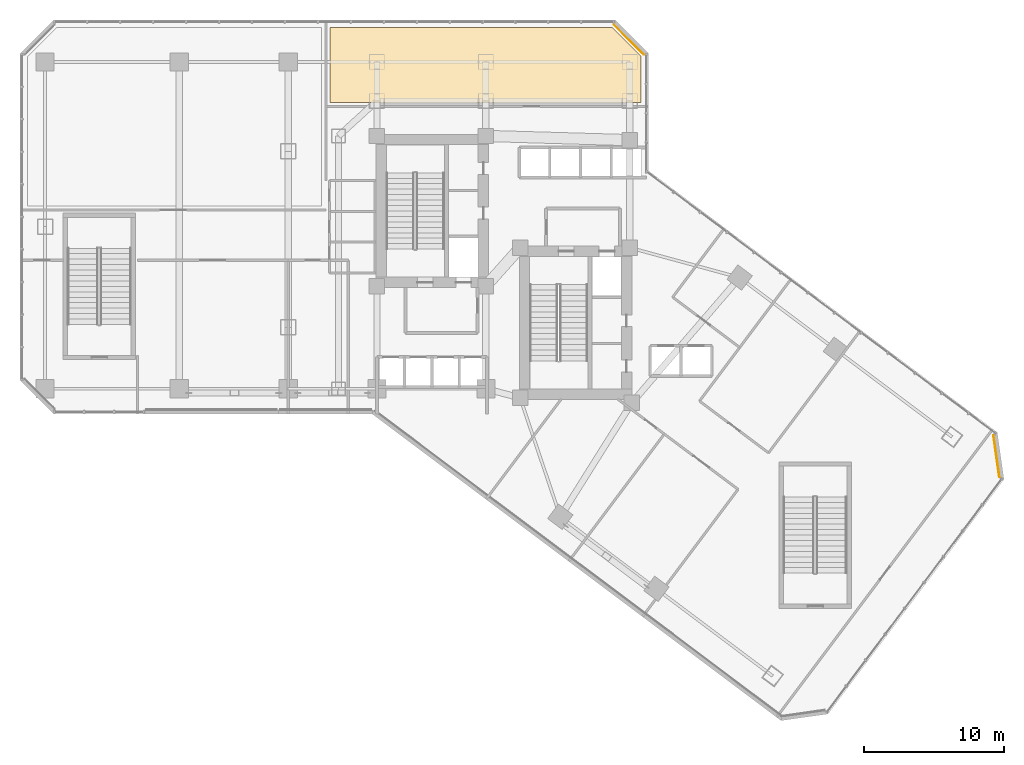
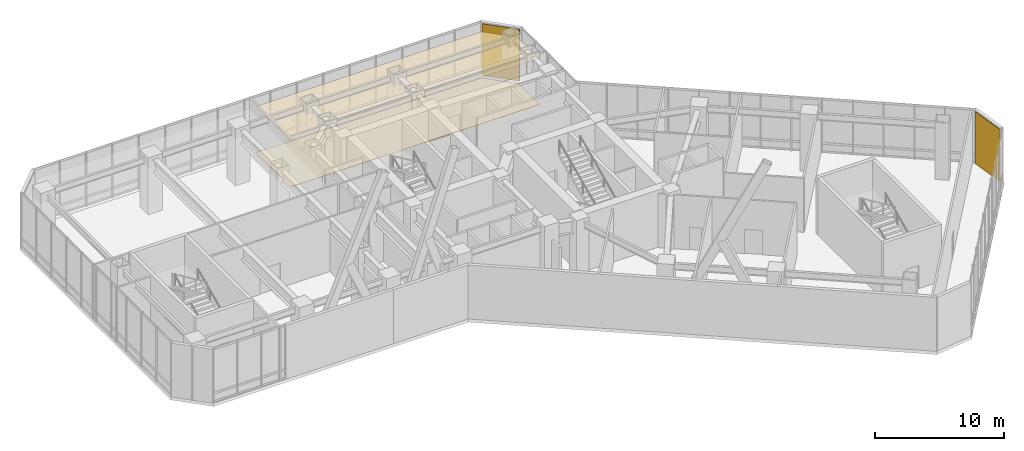
# One storey, part 35 of 35: 4 coverings.
"""IFC4 building model written with IfcOpenShell, lengths in metres."""

import ifcopenshell
import ifcopenshell.guid

model = None  # the IFC model being written
_history = None  # IfcOwnerHistory: only IFC2X3 demands one
_inside = {}  # id of a spatial element -> (the spatial element, [elements in it])
_under = {}  # id of a project, library or spatial element -> (it, [spatial elements below it])
_declared = {}  # id of a project -> (the project, [libraries it declares])
_typed = {}  # id of a type object -> (the type object, [elements of that type])
_made_of = {}  # id of a material, layer set ... -> (it, [elements and type objects made of it])


def new_model(schema):
    """Start an empty IFC model of exactly this schema.

    Asked for "IFC4X3", IfcOpenShell would pick the latest addendum, in which some entities
    have other attributes; the version numbers below select the first issue.
    IFC2X3 requires an IfcOwnerHistory on every rooted entity: one is made here for all.
    """
    global model, _history
    if schema == "IFC4X3":
        model = ifcopenshell.file(schema_version=(4, 3, 0, 0))
    else:
        model = ifcopenshell.file(schema=schema)
    _inside.clear()
    _under.clear()
    _declared.clear()
    _typed.clear()
    _made_of.clear()
    _history = None
    if model.schema == "IFC2X3":
        org = make("IfcOrganization", Name="unknown")
        user = make(
            "IfcPersonAndOrganization",
            ThePerson=make("IfcPerson", FamilyName="unknown"),
            TheOrganization=org,
        )
        app = make(
            "IfcApplication",
            ApplicationDeveloper=org,
            Version="unknown",
            ApplicationFullName="unknown",
            ApplicationIdentifier="unknown",
        )
        _history = make(
            "IfcOwnerHistory",
            OwningUser=user,
            OwningApplication=app,
            ChangeAction="ADDED",
            CreationDate=0,
        )
    return model


def make(cls, **values):
    """One entity of the class cls with the attributes given. An attribute that is None is left unset."""
    return model.create_entity(
        cls, **{name: value for name, value in values.items() if value is not None}
    )


def rooted(cls, **values):
    """An entity with a GlobalId (a new one), such as an element, a storey or a relation."""
    return make(cls, GlobalId=ifcopenshell.guid.new(), OwnerHistory=_history, **values)


def si_unit(unit_type, name, prefix=None):
    """IfcSIUnit, for example si_unit("LENGTHUNIT", "METRE", prefix="MILLI")."""
    return make("IfcSIUnit", UnitType=unit_type, Prefix=prefix, Name=name)


def assignment(units):
    """IfcUnitAssignment: the units of a project."""
    return None if units is None else make("IfcUnitAssignment", Units=units)


def point(xyz):
    """IfcCartesianPoint."""
    return None if xyz is None else make("IfcCartesianPoint", Coordinates=xyz)


def direction(xyz):
    """IfcDirection."""
    return None if xyz is None else make("IfcDirection", DirectionRatios=xyz)


def frame(location, z_axis=None, x_axis=None):
    """IfcAxis2Placement3D, a coordinate frame: its origin and axes. An axis left out is left unset."""
    return make(
        "IfcAxis2Placement3D",
        Location=point(location),
        Axis=direction(z_axis),
        RefDirection=direction(x_axis),
    )


def frame_2d(location, x_axis=None):
    """IfcAxis2Placement2D, a coordinate frame in the plane: its origin and x axis."""
    return make(
        "IfcAxis2Placement2D", Location=point(location), RefDirection=direction(x_axis)
    )


def origin():
    """The frame at (0, 0, 0) with its axes left unset."""
    return frame((0.0, 0.0, 0.0))


def origin_2d():
    """The frame at (0, 0) in the plane with its x axis left unset."""
    return frame_2d((0.0, 0.0))


def place(relative_to, where):
    """IfcLocalPlacement: puts the frame where relative to a parent placement (None: the world)."""
    return make(
        "IfcLocalPlacement", PlacementRelTo=relative_to, RelativePlacement=where
    )


def context(
    kind, dimensions, precision=None, world=None, true_north=None, identifier=None
):
    """IfcGeometricRepresentationContext, for example the 3D "Model" context."""
    return make(
        "IfcGeometricRepresentationContext",
        ContextIdentifier=identifier,
        ContextType=kind,
        CoordinateSpaceDimension=dimensions,
        Precision=precision,
        WorldCoordinateSystem=world,
        TrueNorth=true_north,
    )


def subcontext(parent, identifier, kind, view, scale=None):
    """IfcGeometricRepresentationSubContext, for example "Body" below "Model"."""
    return make(
        "IfcGeometricRepresentationSubContext",
        ContextIdentifier=identifier,
        ContextType=kind,
        ParentContext=parent,
        TargetScale=scale,
        TargetView=view,
    )


def project(units=None, contexts=None):
    """IfcProject with its units and contexts."""
    return rooted(
        "IfcProject",
        Name="project",
        RepresentationContexts=contexts,
        UnitsInContext=assignment(units),
    )


def spatial(cls, under=None, at=None, **own):
    """A site, building, storey or space (cls), placed at a placement, below another one or the project."""
    s = rooted(cls, ObjectPlacement=at, **own)
    if under is not None:
        _under.setdefault(under.id(), (under, []))[1].append(s)
    return s


def polyline(points):
    """IfcPolyline through the points."""
    return make("IfcPolyline", Points=[point(p) for p in points])


def profile(cls, at=None, kind="AREA", **sizes):
    """A parametric profile (cls). Its sizes go by their IFC names, for example OverallWidth=200.0."""
    return make(cls, ProfileType=kind, Position=at, **sizes)


def rectangle(**sizes):
    """IfcRectangleProfileDef."""
    return profile("IfcRectangleProfileDef", **sizes)


def outline(outer, holes=None, kind="AREA"):
    """IfcArbitraryClosedProfileDef: a profile drawn as a closed curve; with holes, ...WithVoids."""
    if holes is None:
        return make("IfcArbitraryClosedProfileDef", ProfileType=kind, OuterCurve=outer)
    return make(
        "IfcArbitraryProfileDefWithVoids",
        ProfileType=kind,
        OuterCurve=outer,
        InnerCurves=holes,
    )


def extrude(swept, where, along, depth):
    """IfcExtrudedAreaSolid: the profile swept, set in the frame where, extruded along a direction by depth."""
    return make(
        "IfcExtrudedAreaSolid",
        SweptArea=swept,
        Position=where,
        ExtrudedDirection=direction(along),
        Depth=depth,
    )


def shape(context_of_items, identifier, shape_type, items):
    """IfcShapeRepresentation: the items that make up one representation, for example the "Body"."""
    return make(
        "IfcShapeRepresentation",
        ContextOfItems=context_of_items,
        RepresentationIdentifier=identifier,
        RepresentationType=shape_type,
        Items=items,
    )


def material(Name=None, Category=None):
    """IfcMaterial."""
    return make("IfcMaterial", Name=Name, Category=Category)


def layer(
    of_material, thickness, ventilated=None, Name=None, Category=None, Priority=None
):
    """IfcMaterialLayer: one layer of a wall or slab, of a material (None: an air gap)."""
    return make(
        "IfcMaterialLayer",
        Material=of_material,
        LayerThickness=thickness,
        IsVentilated=ventilated,
        Name=Name,
        Category=Category,
        Priority=Priority,
    )


def layer_set(layers, Name=None):
    """IfcMaterialLayerSet."""
    return make("IfcMaterialLayerSet", MaterialLayers=layers, LayerSetName=Name)


def made_of(thing, what):
    """Note that an element or type object is made of a material, layer set ...; save() writes the relation."""
    if what is not None:
        _made_of.setdefault(what.id(), (what, []))[1].append(thing)
    return thing


def type_object(cls, material=None, **own):
    """A type object (cls), such as IfcWallType, which elements share."""
    return made_of(rooted(cls, **own), material)


def element(
    cls,
    number,
    at=None,
    inside=None,
    cuts=None,
    type_object=None,
    material=None,
    context=None,
    identifier="Body",
    shape_type=None,
    held_by="IfcProductDefinitionShape",
    body=None,
    shapes=None,
    **own,
):
    """One element of the class cls, such as IfcWall. Its Tag is "e" and its number.

    at: its placement. inside: the storey or other place that contains it. cuts: it is an
    opening in that element (IfcRelVoidsElement). A single representation is given by context,
    identifier, shape_type and body (its items); several are given by shapes. held_by: the class
    of the entity that holds the representations. save() writes the other relations.
    """
    e = rooted(cls, Tag="e%d" % number, ObjectPlacement=at, **own)
    if body is not None:
        shapes = [shape(context, identifier, shape_type, body)]
    if shapes is not None:
        e.Representation = make(held_by, Representations=shapes)
    if inside is not None:
        _inside.setdefault(inside.id(), (inside, []))[1].append(e)
    if cuts is not None:
        rooted(
            "IfcRelVoidsElement", RelatingBuildingElement=cuts, RelatedOpeningElement=e
        )
    if type_object is not None:
        _typed.setdefault(type_object.id(), (type_object, []))[1].append(e)
    return made_of(e, material)


def aggregate(whole, parts):
    """IfcRelAggregates: a whole, such as a stair, and the parts it consists of."""
    return rooted("IfcRelAggregates", RelatingObject=whole, RelatedObjects=parts)


def save(model, path):
    """Write the relations noted so far, then the file.

    IfcRelAggregates (storeys below a building ...), IfcRelContainedInSpatialStructure (elements
    in a storey), IfcRelDefinesByType, IfcRelAssociatesMaterial and IfcRelDeclares: one each for
    every whole, place, type object, material and project.
    """
    for whole, parts in _under.values():
        aggregate(whole, parts)
    for where, things in _inside.values():
        rooted(
            "IfcRelContainedInSpatialStructure",
            RelatedElements=things,
            RelatingStructure=where,
        )
    for kind, things in _typed.values():
        rooted("IfcRelDefinesByType", RelatedObjects=things, RelatingType=kind)
    for what, things in _made_of.values():
        rooted("IfcRelAssociatesMaterial", RelatedObjects=things, RelatingMaterial=what)
    for by, libraries in _declared.values():
        rooted("IfcRelDeclares", RelatingContext=by, RelatedDefinitions=libraries)
    model.write(path)


model = new_model("IFC4")

# Units and contexts
model_context = context("Model", 3, precision=1e-05, world=origin(), true_north=direction((0.0, 1.0)))
body_context = subcontext(model_context, "Body", "Model", "MODEL_VIEW")
ifc_project = project(units=[si_unit("LENGTHUNIT", "METRE"), si_unit("AREAUNIT", "SQUARE_METRE"), si_unit("VOLUMEUNIT", "CUBIC_METRE"), si_unit("PLANEANGLEUNIT", "RADIAN"), si_unit("MASSUNIT", "GRAM", prefix="KILO")], contexts=[model_context])

# Site, building, storey
site_placement = place(None, origin())
site = spatial("IfcSite", under=ifc_project, at=site_placement, CompositionType="ELEMENT")
building_placement = place(site_placement, origin())
building = spatial("IfcBuilding", under=site, at=building_placement, Name="Hatsunagi Terrace Concourse", CompositionType="ELEMENT")
storey_placement = place(building_placement, frame((0.0, 0.0, 5.39990234375)))
storey = spatial("IfcBuildingStorey", under=building, at=storey_placement, Name="L02", CompositionType="ELEMENT", Elevation=5.39990234375)

# Coverings
ifc_material_1 = material(Name="Acoustic mineral board", Category="gypsum")
ifc_layer_1 = layer(ifc_material_1, 0.02001953125)
ifc_layer_set_1 = layer_set([ifc_layer_1], Name="AcousticMineralCeiling_20")
covering_type_1 = type_object("IfcCoveringType", Name="AcousticMineralCeiling_20", PredefinedType="CEILING", material=ifc_layer_set_1)
covering_1_placement = place(storey_placement, frame((0.0, 0.0, 4.380126953125)))
element("IfcCovering", 1, at=covering_1_placement, inside=storey, type_object=covering_type_1, Name="Suspended Ceiling L02-2", PredefinedType="CEILING", context=body_context, shape_type="SweptSolid", body=[
    extrude(outline(polyline([(44.469970703125, 48.97998046875), (42.3798828125, 51.070068359375), (22.199951171875, 51.070068359375), (22.199951171875, 45.699951171875), (44.469970703125, 45.699951171875), (44.469970703125, 48.97998046875)])), origin(), (0.0, 0.0, 1.0), 0.02001953125),
])
ifc_material_2 = material(Name="Granite stone paving", Category="masonry")
ifc_layer_2 = layer(ifc_material_2, 0.02490234375)
ifc_layer_set_2 = layer_set([ifc_layer_2], Name="GraniteStoneFlooring_25")
covering_type_2 = type_object("IfcCoveringType", Name="GraniteStoneFlooring_25", PredefinedType="FLOORING", material=ifc_layer_set_2)
covering_2_placement = place(storey_placement, origin())
element("IfcCovering", 2, at=covering_2_placement, inside=storey, type_object=covering_type_2, Name="Finished Flooring L02-2", PredefinedType="FLOORING", context=body_context, shape_type="SweptSolid", body=[
    extrude(outline(polyline([(44.469970703125, 48.97998046875), (42.3798828125, 51.070068359375), (22.199951171875, 51.070068359375), (22.199951171875, 45.699951171875), (44.469970703125, 45.699951171875), (44.469970703125, 48.97998046875)])), origin(), (0.0, 0.0, 1.0), 0.025146484375),
])
ifc_material_3 = material(Name="Unglazed Warm Terracotta Rainscreen Tile", Category="masonry")
ifc_layer_3 = layer(ifc_material_3, 0.044921875)
ifc_layer_set_3 = layer_set([ifc_layer_3], Name="TerracottaRainscreenCladding_45")
covering_type_3 = type_object("IfcCoveringType", Name="TerracottaRainscreenCladding_45", PredefinedType="CLADDING", material=ifc_layer_set_3)
for number, where, z_axis, x_axis, name in (
    (3, (69.90087890625, 20.35791015625, 0.10009765625), (0.0, 0.0, 1.0), (0.141250262458, -0.989973920543, 0.0), "Terracotta Rainscreen Cladding L02-02"),
    (4, (43.5859375, 50.18603515625, 0.10009765625), (0.0, 0.0, 1.0), (0.707106781187, -0.707106781187, 0.0), "Terracotta Rainscreen Cladding L02-13"),
):
    element("IfcCovering", number, at=place(storey_placement, frame(where, z_axis=z_axis, x_axis=x_axis)), inside=storey, type_object=covering_type_3, Name=name, PredefinedType="CLADDING", context=body_context, shape_type="SweptSolid", body=[
        extrude(rectangle(XDim=3.0380859375, YDim=0.044921875, at=origin_2d()), origin(), (0.0, 0.0, 1.0), 4.89990234375),
    ])

save(model, "model.ifc")
